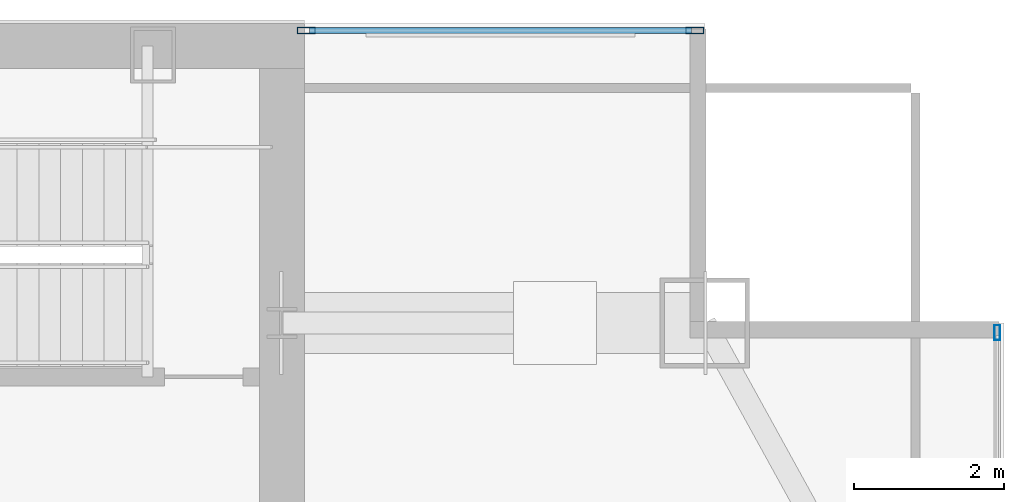
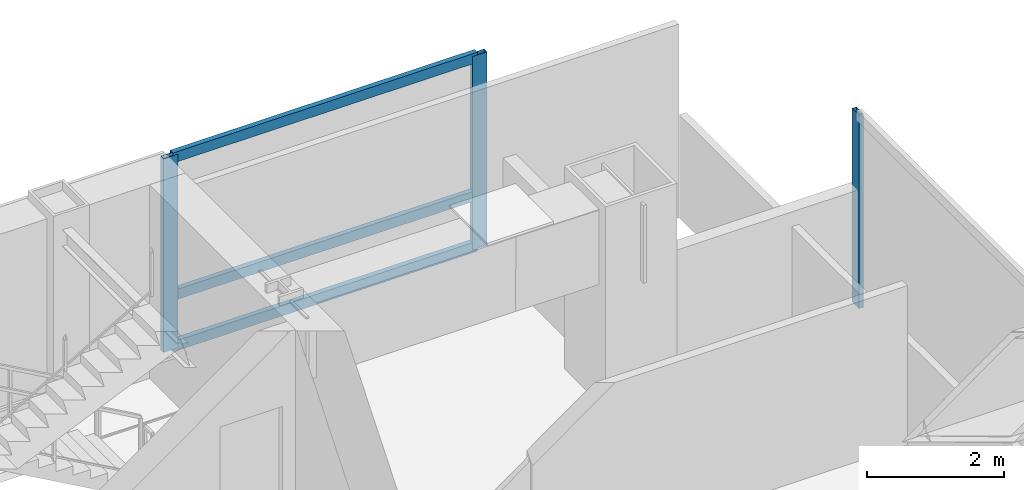
# One storey, part 19 of 26: 6 members, 2 elements without a shape of their own.
"""IFC4 building model written with IfcOpenShell, lengths in metres."""

from ifc_helpers import new_model, si_unit, direction, frame, origin, origin_2d, place, context, subcontext, project, spatial, hollow_rectangle, extrude, material, material_profile, profile_set, type_object, element, aggregate, save


model = new_model("IFC4")

# Units and contexts
model_context = context("Model", 3, precision=1e-05, world=origin(), true_north=direction((0.0, 1.0)))
body_context = subcontext(model_context, "Body", "Model", "MODEL_VIEW")
ifc_project = project(units=[si_unit("LENGTHUNIT", "METRE"), si_unit("AREAUNIT", "SQUARE_METRE"), si_unit("VOLUMEUNIT", "CUBIC_METRE"), si_unit("PLANEANGLEUNIT", "RADIAN"), si_unit("MASSUNIT", "GRAM", prefix="KILO")], contexts=[model_context])

# Site, building, storey
site_placement = place(None, origin())
site = spatial("IfcSite", under=ifc_project, at=site_placement, CompositionType="ELEMENT")
building_placement = place(site_placement, origin())
building = spatial("IfcBuilding", under=site, at=building_placement, Name="Khoronbel Lancet Exchange", CompositionType="ELEMENT")
storey_placement = place(building_placement, frame((0.0, 0.0, 235.39990234375)))
storey = spatial("IfcBuildingStorey", under=building, at=storey_placement, Name="L60", CompositionType="ELEMENT", Elevation=235.39990234375)

# Curtain wall, members
ifc_material_1 = material(Name="Low-E Solar Control Insulating Glass", Category="glass")
curtain_wall_type_1 = type_object("IfcCurtainWallType", Name="CW-3", PredefinedType="NOTDEFINED", material=ifc_material_1)
curtain_wall_1_placement = place(storey_placement, origin())
curtain_wall_1 = element("IfcCurtainWall", 1, at=curtain_wall_1_placement, inside=storey, type_object=curtain_wall_type_1, Name="Unitised curtain wall CW-L60-NEFLK", PredefinedType="NOTDEFINED")
ifc_material_2 = material(Name="Bronze-Anodised Aluminium 6063-T6", Category="aluminium")
ifc_material_profile_1 = material_profile(ifc_material_2, hollow_rectangle(XDim=0.0849609375, YDim=0.239990234375, WallThickness=0.006103515625, at=origin_2d()), Name="ALU MULLION 85x240")
ifc_profile_set_1 = profile_set([ifc_material_profile_1], Name="Bronze-Anodised Aluminium 6063-T6")
member_type_1 = type_object("IfcMemberType", Name="MEM-CWM1", PredefinedType="MULLION", material=ifc_profile_set_1)
member_1_placement = place(storey_placement, frame((61.91748046875, 53.610107421875, 0.0), z_axis=(0.0, 0.0, 1.0), x_axis=(0.0, -1.0, 0.0)))
member_1 = element("IfcMember", 2, at=member_1_placement, type_object=member_type_1, Name="CW3 mullion 1", PredefinedType="MULLION", context=body_context, shape_type="SweptSolid", body=[
    extrude(hollow_rectangle(XDim=0.0849609375, YDim=0.239990234375, WallThickness=0.006103515625, at=origin_2d()), origin(), (0.0, 0.0, 1.0), 3.440185546875),
])
member_2_placement = place(storey_placement, frame((56.722412109375, 53.610107421875, 0.0), z_axis=(0.0, 0.0, 1.0), x_axis=(0.0, -1.0, 0.0)))
member_2 = element("IfcMember", 3, at=member_2_placement, type_object=member_type_1, Name="CW3 mullion 2", PredefinedType="MULLION", context=body_context, shape_type="SweptSolid", body=[
    extrude(hollow_rectangle(XDim=0.0849609375, YDim=0.239990234375, WallThickness=0.006103515625, at=origin_2d()), origin(), (0.0, 0.0, 1.0), 3.440185546875),
])

# Curtain wall, member
curtain_wall_type_2 = type_object("IfcCurtainWallType", Name="CW-4", PredefinedType="NOTDEFINED", material=ifc_material_1)
curtain_wall_2_placement = place(storey_placement, origin())
curtain_wall_2 = element("IfcCurtainWall", 4, at=curtain_wall_2_placement, inside=storey, type_object=curtain_wall_type_2, Name="Unitised curtain wall CW-L60-E09", PredefinedType="NOTDEFINED")
ifc_material_profile_2 = material_profile(ifc_material_2, hollow_rectangle(XDim=0.074951171875, YDim=0.199951171875, WallThickness=0.0048828125, at=origin_2d()), Name="ALU MULLION 75x200")
ifc_profile_set_2 = profile_set([ifc_material_profile_2], Name="Bronze-Anodised Aluminium 6063-T6")
member_type_2 = type_object("IfcMemberType", Name="MEM-CWM2", PredefinedType="MULLION", material=ifc_profile_set_2)
member_3_placement = place(storey_placement, frame((65.9599609375, 49.572509765625, 0.0), z_axis=(0.0, 0.0, 1.0), x_axis=(1.0, 0.0, 0.0)))
member_3 = element("IfcMember", 5, at=member_3_placement, type_object=member_type_2, Name="CW4 mullion 1", PredefinedType="MULLION", context=body_context, shape_type="SweptSolid", body=[
    extrude(hollow_rectangle(XDim=0.074951171875, YDim=0.199951171875, WallThickness=0.0048828125, at=origin_2d()), origin(), (0.0, 0.0, 1.0), 3.440185546875),
])
aggregate(curtain_wall_2, [member_3])

# Member
ifc_material_profile_3 = material_profile(ifc_material_2, hollow_rectangle(XDim=0.0849609375, YDim=0.179931640625, WallThickness=0.0048828125, at=origin_2d()), Name="ALU TRANSOM 85x180")
ifc_profile_set_3 = profile_set([ifc_material_profile_3], Name="Bronze-Anodised Aluminium 6063-T6")
member_type_3 = type_object("IfcMemberType", Name="MEM-CWT1", PredefinedType="USERDEFINED", material=ifc_profile_set_3)
member_4_placement = place(storey_placement, frame((61.875, 53.610107421875, 0.04248046875), z_axis=(-1.0, 0.0, 0.0), x_axis=(0.0, -1.0, 0.0)))
member_4 = element("IfcMember", 6, at=member_4_placement, type_object=member_type_3, Name="CW3 transom 1.1", ObjectType="TRANSOM", PredefinedType="USERDEFINED", context=body_context, shape_type="SweptSolid", body=[
    extrude(hollow_rectangle(XDim=0.0849609375, YDim=0.179931640625, WallThickness=0.0048828125, at=origin_2d()), origin(), (0.0, 0.0, 1.0), 5.110107421875),
])

member_5_placement = place(storey_placement, frame((61.875, 53.610107421875, 0.9501953125), z_axis=(-1.0, 0.0, 0.0), x_axis=(0.0, -1.0, 0.0)))
member_5 = element("IfcMember", 7, at=member_5_placement, type_object=member_type_3, Name="CW3 transom 1.2", ObjectType="TRANSOM", PredefinedType="USERDEFINED", context=body_context, shape_type="SweptSolid", body=[
    extrude(hollow_rectangle(XDim=0.0849609375, YDim=0.179931640625, WallThickness=0.0048828125, at=origin_2d()), origin(), (0.0, 0.0, 1.0), 5.110107421875),
])

member_6_placement = place(storey_placement, frame((61.875, 53.610107421875, 3.397705078125), z_axis=(-1.0, 0.0, 0.0), x_axis=(0.0, -1.0, 0.0)))
member_6 = element("IfcMember", 8, at=member_6_placement, type_object=member_type_3, Name="CW3 transom 1.3", ObjectType="TRANSOM", PredefinedType="USERDEFINED", context=body_context, shape_type="SweptSolid", body=[
    extrude(hollow_rectangle(XDim=0.0849609375, YDim=0.179931640625, WallThickness=0.0048828125, at=origin_2d()), origin(), (0.0, 0.0, 1.0), 5.110107421875),
])

aggregate(curtain_wall_1, [member_1, member_2, member_4, member_5, member_6])

save(model, "model.ifc")
